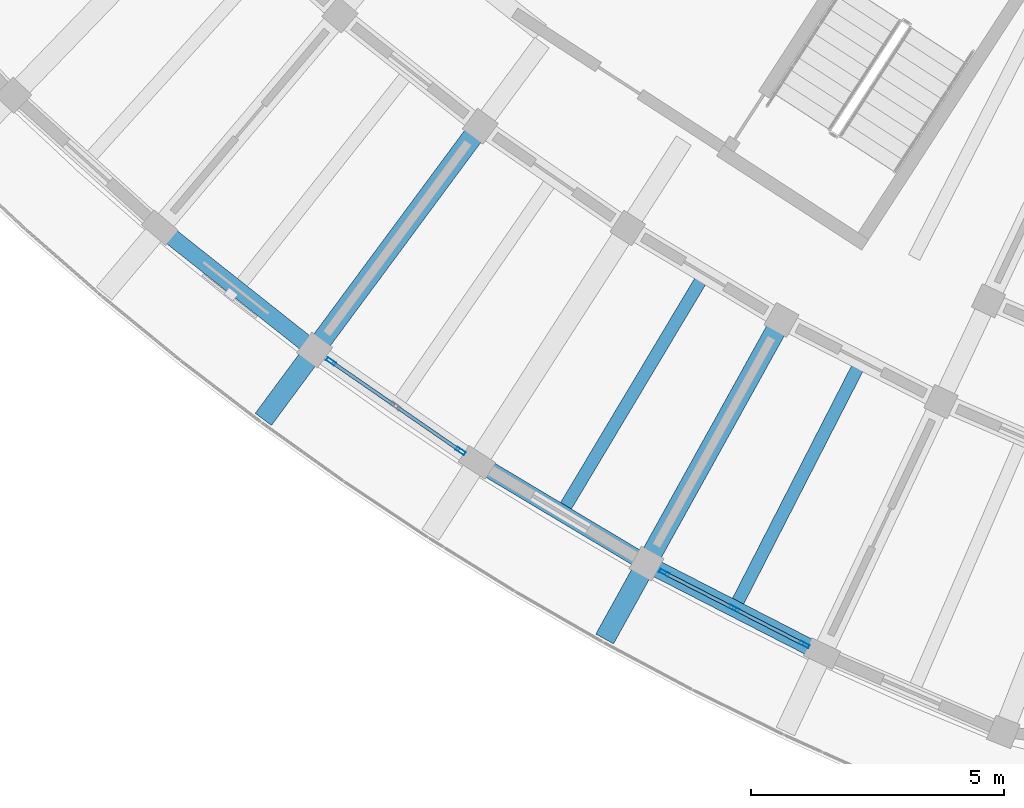
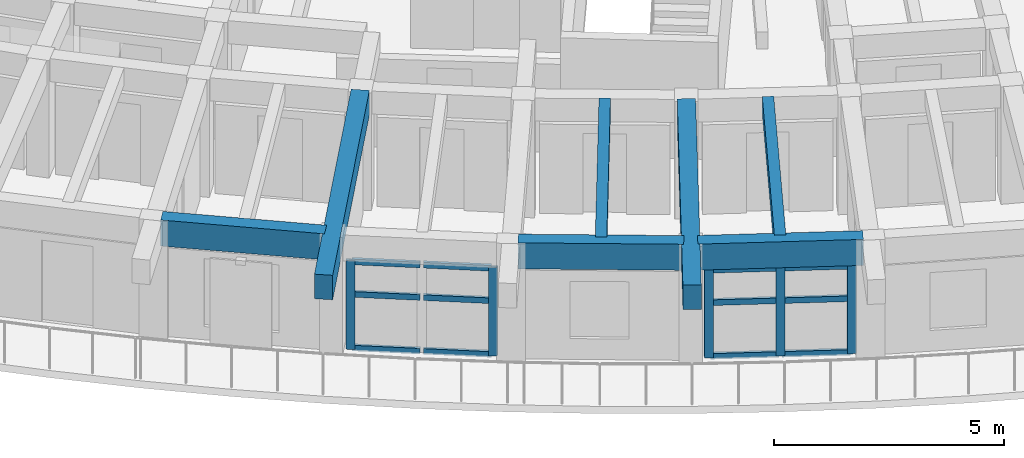
# One storey, part 4 of 62: 17 members, 7 beams, 2 elements without a shape of their own.
"""IFC4 building model written with IfcOpenShell, lengths in metres."""

from ifc_helpers import new_model, si_unit, direction, frame, origin, origin_2d, place, context, subcontext, project, spatial, rectangle, hollow_rectangle, extrude, material, material_profile, profile_set, type_object, element, aggregate, save


model = new_model("IFC4")

# Units and contexts
model_context = context("Model", 3, precision=1e-05, world=origin(), true_north=direction((0.0, 1.0)))
body_context = subcontext(model_context, "Body", "Model", "MODEL_VIEW")
ifc_project = project(units=[si_unit("LENGTHUNIT", "METRE"), si_unit("AREAUNIT", "SQUARE_METRE"), si_unit("VOLUMEUNIT", "CUBIC_METRE"), si_unit("PLANEANGLEUNIT", "RADIAN"), si_unit("MASSUNIT", "GRAM", prefix="KILO")], contexts=[model_context])

# Site, building, storey
site_placement = place(None, origin())
site = spatial("IfcSite", under=ifc_project, at=site_placement, CompositionType="ELEMENT")
building_placement = place(site_placement, origin())
building = spatial("IfcBuilding", under=site, at=building_placement, Name="Tanwirah Colonnade Gardens", CompositionType="ELEMENT")
storey_placement = place(building_placement, frame((0.0, 0.0, 32.360107421875)))
storey = spatial("IfcBuildingStorey", under=building, at=storey_placement, Name="L09", CompositionType="ELEMENT", Elevation=32.360107421875)

# Beams
ifc_material_1 = material(Name="Precast concrete C45/55", Category="concrete")
ifc_material_profile_1 = material_profile(ifc_material_1, rectangle(XDim=0.39990234375, YDim=0.64990234375, at=origin_2d()), Name="PC-BM 400x650")
ifc_profile_set_1 = profile_set([ifc_material_profile_1], Name="Precast concrete C45/55")
beam_type_1 = type_object("IfcBeamType", Name="BM-PC400", PredefinedType="BEAM", material=ifc_profile_set_1)
beam_1_placement = place(storey_placement, frame((32.760498046875, 20.930908203125, 2.789794921875), z_axis=(-0.594806754627, -0.803868723518, 0.0), x_axis=(0.803868723518, -0.594806754627, 0.0)))
element("IfcBeam", 1, at=beam_1_placement, inside=storey, type_object=beam_type_1, Name="Block C L09 Outer Radial Precast Girder 10", PredefinedType="BEAM", context=body_context, shape_type="SweptSolid", body=[
    extrude(rectangle(XDim=0.39990234375, YDim=0.64990234375, at=origin_2d()), origin(), (0.0, 0.0, 1.0), 7.050048828125),
])
beam_2_placement = place(storey_placement, frame((38.723388671875, 17.095703125, 2.789794921875), z_axis=(-0.484804753745, -0.874622404667, 0.0), x_axis=(0.874622404667, -0.484804753745, 0.0)))
element("IfcBeam", 2, at=beam_2_placement, inside=storey, type_object=beam_type_1, Name="Block C L09 Outer Radial Precast Girder 12", PredefinedType="BEAM", context=body_context, shape_type="SweptSolid", body=[
    extrude(rectangle(XDim=0.39990234375, YDim=0.64990234375, at=origin_2d()), origin(), (0.0, 0.0, 1.0), 7.05029296875),
])

# Curtain wall, members
ifc_material_2 = material(Name="Bronze-anodised aluminium and solar-control low-E glass", Category="aluminium")
curtain_wall_type = type_object("IfcCurtainWallType", Name="CW-LOB", PredefinedType="NOTDEFINED", material=ifc_material_2)
curtain_wall_1_placement = place(storey_placement, origin())
curtain_wall_1 = element("IfcCurtainWall", 3, at=curtain_wall_1_placement, inside=storey, type_object=curtain_wall_type, Name="Curtain Wall CW-C-L09-OUT-10", PredefinedType="NOTDEFINED")
ifc_material_3 = material(Name="Bronze-anodised aluminium", Category="aluminium")
ifc_material_profile_2 = material_profile(ifc_material_3, hollow_rectangle(XDim=0.070068359375, YDim=0.199951171875, WallThickness=0.00390625, at=origin_2d()), Name="CW-MUL 70x200x4")
ifc_profile_set_2 = profile_set([ifc_material_profile_2], Name="Bronze-anodised aluminium")
member_type_1 = type_object("IfcMemberType", Name="CWM-70x200", PredefinedType="MULLION", material=ifc_profile_set_2)
member_1_placement = place(storey_placement, frame((29.9033203125, 16.40576171875, 0.0), z_axis=(0.0, 0.0, 1.0), x_axis=(0.568202237528, 0.82288894589, 0.0)))
member_1 = element("IfcMember", 4, at=member_1_placement, type_object=member_type_1, Name="CW-LOB mullion 1", PredefinedType="MULLION", context=body_context, shape_type="SweptSolid", body=[
    extrude(hollow_rectangle(XDim=0.070068359375, YDim=0.199951171875, WallThickness=0.00390625, at=origin_2d()), origin(), (0.0, 0.0, 1.0), 2.35498046875),
])
member_2_placement = place(storey_placement, frame((32.4599609375, 14.640625, 0.0), z_axis=(0.0, 0.0, 1.0), x_axis=(0.568202237528, 0.82288894589, 0.0)))
member_2 = element("IfcMember", 5, at=member_2_placement, type_object=member_type_1, Name="CW-LOB mullion 3", PredefinedType="MULLION", context=body_context, shape_type="SweptSolid", body=[
    extrude(hollow_rectangle(XDim=0.070068359375, YDim=0.199951171875, WallThickness=0.00390625, at=origin_2d()), origin(), (0.0, 0.0, 1.0), 2.35498046875),
])

curtain_wall_2_placement = place(storey_placement, origin())
curtain_wall_2 = element("IfcCurtainWall", 6, at=curtain_wall_2_placement, inside=storey, type_object=curtain_wall_type, Name="Curtain Wall CW-C-L09-OUT-12", PredefinedType="NOTDEFINED")
member_3_placement = place(storey_placement, frame((36.481201171875, 12.236328125, 0.0), z_axis=(0.0, 0.0, 1.0), x_axis=(0.455932978269, 0.890014111869, 0.0)))
member_3 = element("IfcMember", 7, at=member_3_placement, type_object=member_type_1, Name="CW-LOB mullion 1", PredefinedType="MULLION", context=body_context, shape_type="SweptSolid", body=[
    extrude(hollow_rectangle(XDim=0.070068359375, YDim=0.199951171875, WallThickness=0.00390625, at=origin_2d()), origin(), (0.0, 0.0, 1.0), 2.35498046875),
])
member_4_placement = place(storey_placement, frame((37.86376953125, 11.528076171875, 0.0), z_axis=(0.0, 0.0, 1.0), x_axis=(0.455932978269, 0.890014111869, 0.0)))
member_4 = element("IfcMember", 8, at=member_4_placement, type_object=member_type_1, Name="CW-LOB mullion 2", PredefinedType="MULLION", context=body_context, shape_type="SweptSolid", body=[
    extrude(hollow_rectangle(XDim=0.070068359375, YDim=0.199951171875, WallThickness=0.00390625, at=origin_2d()), origin(), (0.0, 0.0, 1.0), 2.35498046875),
])
member_5_placement = place(storey_placement, frame((39.246337890625, 10.81982421875, 0.0), z_axis=(0.0, 0.0, 1.0), x_axis=(0.455932978269, 0.890014111869, 0.0)))
member_5 = element("IfcMember", 9, at=member_5_placement, type_object=member_type_1, Name="CW-LOB mullion 3", PredefinedType="MULLION", context=body_context, shape_type="SweptSolid", body=[
    extrude(hollow_rectangle(XDim=0.070068359375, YDim=0.199951171875, WallThickness=0.00390625, at=origin_2d()), origin(), (0.0, 0.0, 1.0), 2.35498046875),
])

# Member
ifc_material_profile_3 = material_profile(ifc_material_3, hollow_rectangle(XDim=0.070068359375, YDim=0.14990234375, WallThickness=0.00390625, at=origin_2d()), Name="CW-TRN 70x150x4")
ifc_profile_set_3 = profile_set([ifc_material_profile_3], Name="Bronze-anodised aluminium")
member_type_2 = type_object("IfcMemberType", Name="CWT-70x150", PredefinedType="USERDEFINED", material=ifc_profile_set_3)
member_6_placement = place(storey_placement, frame((29.93212890625, 16.385986328125, 0.034912109375), z_axis=(0.822926215266, -0.56814825902, 0.0), x_axis=(0.56814825902, 0.822926215266, 0.0)))
member_6 = element("IfcMember", 10, at=member_6_placement, type_object=member_type_2, Name="CW-LOB transom 1.1", ObjectType="TRANSOM", PredefinedType="USERDEFINED", context=body_context, shape_type="SweptSolid", body=[
    extrude(hollow_rectangle(XDim=0.070068359375, YDim=0.14990234375, WallThickness=0.00390625, at=origin_2d()), origin(), (0.0, 0.0, 1.0), 1.4833984375),
])

member_7_placement = place(storey_placement, frame((29.93212890625, 16.385986328125, 1.4599609375), z_axis=(0.822926215266, -0.56814825902, 0.0), x_axis=(0.56814825902, 0.822926215266, 0.0)))
member_7 = element("IfcMember", 11, at=member_7_placement, type_object=member_type_2, Name="CW-LOB transom 1.2", ObjectType="TRANSOM", PredefinedType="USERDEFINED", context=body_context, shape_type="SweptSolid", body=[
    extrude(hollow_rectangle(XDim=0.070068359375, YDim=0.14990234375, WallThickness=0.00390625, at=origin_2d()), origin(), (0.0, 0.0, 1.0), 1.4833984375),
])

member_8_placement = place(storey_placement, frame((29.93212890625, 16.385986328125, 2.31982421875), z_axis=(0.822926215266, -0.56814825902, 0.0), x_axis=(0.56814825902, 0.822926215266, 0.0)))
member_8 = element("IfcMember", 12, at=member_8_placement, type_object=member_type_2, Name="CW-LOB transom 1.3", ObjectType="TRANSOM", PredefinedType="USERDEFINED", context=body_context, shape_type="SweptSolid", body=[
    extrude(hollow_rectangle(XDim=0.070068359375, YDim=0.14990234375, WallThickness=0.00390625, at=origin_2d()), origin(), (0.0, 0.0, 1.0), 1.4833984375),
])

member_9_placement = place(storey_placement, frame((31.21044921875, 15.50341796875, 0.034912109375), z_axis=(0.822849264057, -0.568259701757, 0.0), x_axis=(0.568259701757, 0.822849264057, 0.0)))
member_9 = element("IfcMember", 13, at=member_9_placement, type_object=member_type_2, Name="CW-LOB transom 2.1", ObjectType="TRANSOM", PredefinedType="USERDEFINED", context=body_context, shape_type="SweptSolid", body=[
    extrude(hollow_rectangle(XDim=0.070068359375, YDim=0.14990234375, WallThickness=0.00390625, at=origin_2d()), origin(), (0.0, 0.0, 1.0), 1.4833984375),
])

member_10_placement = place(storey_placement, frame((31.21044921875, 15.50341796875, 1.4599609375), z_axis=(0.822849264057, -0.568259701757, 0.0), x_axis=(0.568259701757, 0.822849264057, 0.0)))
member_10 = element("IfcMember", 14, at=member_10_placement, type_object=member_type_2, Name="CW-LOB transom 2.2", ObjectType="TRANSOM", PredefinedType="USERDEFINED", context=body_context, shape_type="SweptSolid", body=[
    extrude(hollow_rectangle(XDim=0.070068359375, YDim=0.14990234375, WallThickness=0.00390625, at=origin_2d()), origin(), (0.0, 0.0, 1.0), 1.4833984375),
])

member_11_placement = place(storey_placement, frame((31.21044921875, 15.50341796875, 2.31982421875), z_axis=(0.822849264057, -0.568259701757, 0.0), x_axis=(0.568259701757, 0.822849264057, 0.0)))
member_11 = element("IfcMember", 15, at=member_11_placement, type_object=member_type_2, Name="CW-LOB transom 2.3", ObjectType="TRANSOM", PredefinedType="USERDEFINED", context=body_context, shape_type="SweptSolid", body=[
    extrude(hollow_rectangle(XDim=0.070068359375, YDim=0.14990234375, WallThickness=0.00390625, at=origin_2d()), origin(), (0.0, 0.0, 1.0), 1.4833984375),
])

aggregate(curtain_wall_1, [member_1, member_2, member_6, member_7, member_8, member_9, member_10, member_11])

member_12_placement = place(storey_placement, frame((36.51220703125, 12.220458984375, 0.034912109375), z_axis=(0.889973324591, -0.456012589209, 0.0), x_axis=(0.456012589209, 0.889973324591, 0.0)))
member_12 = element("IfcMember", 16, at=member_12_placement, type_object=member_type_2, Name="CW-LOB transom 1.1", ObjectType="TRANSOM", PredefinedType="USERDEFINED", context=body_context, shape_type="SweptSolid", body=[
    extrude(hollow_rectangle(XDim=0.070068359375, YDim=0.14990234375, WallThickness=0.00390625, at=origin_2d()), origin(), (0.0, 0.0, 1.0), 1.483642578125),
])

member_13_placement = place(storey_placement, frame((36.51220703125, 12.220458984375, 1.4599609375), z_axis=(0.889973324591, -0.456012589209, 0.0), x_axis=(0.456012589209, 0.889973324591, 0.0)))
member_13 = element("IfcMember", 17, at=member_13_placement, type_object=member_type_2, Name="CW-LOB transom 1.2", ObjectType="TRANSOM", PredefinedType="USERDEFINED", context=body_context, shape_type="SweptSolid", body=[
    extrude(hollow_rectangle(XDim=0.070068359375, YDim=0.14990234375, WallThickness=0.00390625, at=origin_2d()), origin(), (0.0, 0.0, 1.0), 1.483642578125),
])

member_14_placement = place(storey_placement, frame((36.51220703125, 12.220458984375, 2.31982421875), z_axis=(0.889973324591, -0.456012589209, 0.0), x_axis=(0.456012589209, 0.889973324591, 0.0)))
member_14 = element("IfcMember", 18, at=member_14_placement, type_object=member_type_2, Name="CW-LOB transom 1.3", ObjectType="TRANSOM", PredefinedType="USERDEFINED", context=body_context, shape_type="SweptSolid", body=[
    extrude(hollow_rectangle(XDim=0.070068359375, YDim=0.14990234375, WallThickness=0.00390625, at=origin_2d()), origin(), (0.0, 0.0, 1.0), 1.483642578125),
])

member_15_placement = place(storey_placement, frame((37.894775390625, 11.51220703125, 0.034912109375), z_axis=(0.889973324591, -0.456012589209, 0.0), x_axis=(0.456012589209, 0.889973324591, 0.0)))
member_15 = element("IfcMember", 19, at=member_15_placement, type_object=member_type_2, Name="CW-LOB transom 2.1", ObjectType="TRANSOM", PredefinedType="USERDEFINED", context=body_context, shape_type="SweptSolid", body=[
    extrude(hollow_rectangle(XDim=0.070068359375, YDim=0.14990234375, WallThickness=0.00390625, at=origin_2d()), origin(), (0.0, 0.0, 1.0), 1.483642578125),
])

member_16_placement = place(storey_placement, frame((37.894775390625, 11.51220703125, 1.4599609375), z_axis=(0.889973324591, -0.456012589209, 0.0), x_axis=(0.456012589209, 0.889973324591, 0.0)))
member_16 = element("IfcMember", 20, at=member_16_placement, type_object=member_type_2, Name="CW-LOB transom 2.2", ObjectType="TRANSOM", PredefinedType="USERDEFINED", context=body_context, shape_type="SweptSolid", body=[
    extrude(hollow_rectangle(XDim=0.070068359375, YDim=0.14990234375, WallThickness=0.00390625, at=origin_2d()), origin(), (0.0, 0.0, 1.0), 1.483642578125),
])

member_17_placement = place(storey_placement, frame((37.894775390625, 11.51220703125, 2.31982421875), z_axis=(0.889973324591, -0.456012589209, 0.0), x_axis=(0.456012589209, 0.889973324591, 0.0)))
member_17 = element("IfcMember", 21, at=member_17_placement, type_object=member_type_2, Name="CW-LOB transom 2.3", ObjectType="TRANSOM", PredefinedType="USERDEFINED", context=body_context, shape_type="SweptSolid", body=[
    extrude(hollow_rectangle(XDim=0.070068359375, YDim=0.14990234375, WallThickness=0.00390625, at=origin_2d()), origin(), (0.0, 0.0, 1.0), 1.483642578125),
])

aggregate(curtain_wall_2, [member_3, member_4, member_5, member_12, member_13, member_14, member_15, member_16, member_17])

# Beams
ifc_material_4 = material(Name="Precast concrete C40/50", Category="concrete")
ifc_material_profile_4 = material_profile(ifc_material_4, rectangle(XDim=0.25, YDim=0.449951171875, at=origin_2d()), Name="PC-JST 250x450")
ifc_profile_set_4 = profile_set([ifc_material_profile_4], Name="Precast concrete C40/50")
beam_type_2 = type_object("IfcBeamType", Name="JST-PC250", PredefinedType="JOIST", material=ifc_profile_set_4)
for number, where, z_axis, x_axis, name in (
    (22, (37.20166015625, 18.006591796875, 2.889892578125), (-0.513157303227, -0.858294577721, 0.0), (0.858294577721, -0.513157303227, 0.0), "Block C L09 Precast Floor Joist 11"),
    (23, (40.302001953125, 16.287841796875, 2.889892578125), (-0.455936851617, -0.890012127635, 0.0), (0.890012127635, -0.455936851617, 0.0), "Block C L09 Precast Floor Joist 12"),
):
    element("IfcBeam", number, at=place(storey_placement, frame(where, z_axis=z_axis, x_axis=x_axis)), inside=storey, type_object=beam_type_2, Name=name, PredefinedType="JOIST", context=body_context, shape_type="SweptSolid", body=[
        extrude(rectangle(XDim=0.25, YDim=0.449951171875, at=origin_2d()), origin(), (0.0, 0.0, 1.0), 5.260009765625),
    ])
ifc_material_profile_5 = material_profile(ifc_material_4, rectangle(XDim=0.330078125, YDim=0.68994140625, at=origin_2d()), Name="PC-SP 330x690")
ifc_profile_set_5 = profile_set([ifc_material_profile_5], Name="Precast concrete C40/50")
beam_type_3 = type_object("IfcBeamType", Name="SP-PC280", PredefinedType="SPANDREL", material=ifc_profile_set_5)
beam_3_placement = place(storey_placement, frame((26.640869140625, 18.956298828125, 2.769775390625), z_axis=(0.783971495357, -0.620796822211, 0.0), x_axis=(0.620796822211, 0.783971495357, 0.0)))
element("IfcBeam", 24, at=beam_3_placement, inside=storey, type_object=beam_type_3, Name="Block C L09 Circumferential Beam 9-R3", PredefinedType="SPANDREL", context=body_context, shape_type="SweptSolid", body=[
    extrude(rectangle(XDim=0.330078125, YDim=0.68994140625, at=origin_2d()), origin(), (0.0, 0.0, 1.0), 3.596923828125),
])
for number, where, z_axis, x_axis, name in (
    (25, (32.913818359375, 14.339111328125, 2.769775390625), (0.858282522832, -0.513177465407, 0.0), (0.513177465407, 0.858282522832, 0.0), "Block C L09 Circumferential Beam 11-R3"),
    (26, (36.26318359375, 12.347900390625, 2.769775390625), (0.890013134589, -0.455934885985, 0.0), (0.455934885985, 0.890013134589, 0.0), "Block C L09 Circumferential Beam 12-R3"),
):
    element("IfcBeam", number, at=place(storey_placement, frame(where, z_axis=z_axis, x_axis=x_axis)), inside=storey, type_object=beam_type_3, Name=name, PredefinedType="SPANDREL", context=body_context, shape_type="SweptSolid", body=[
        extrude(rectangle(XDim=0.330078125, YDim=0.68994140625, at=origin_2d()), origin(), (0.0, 0.0, 1.0), 3.5966796875),
    ])

save(model, "model.ifc")
